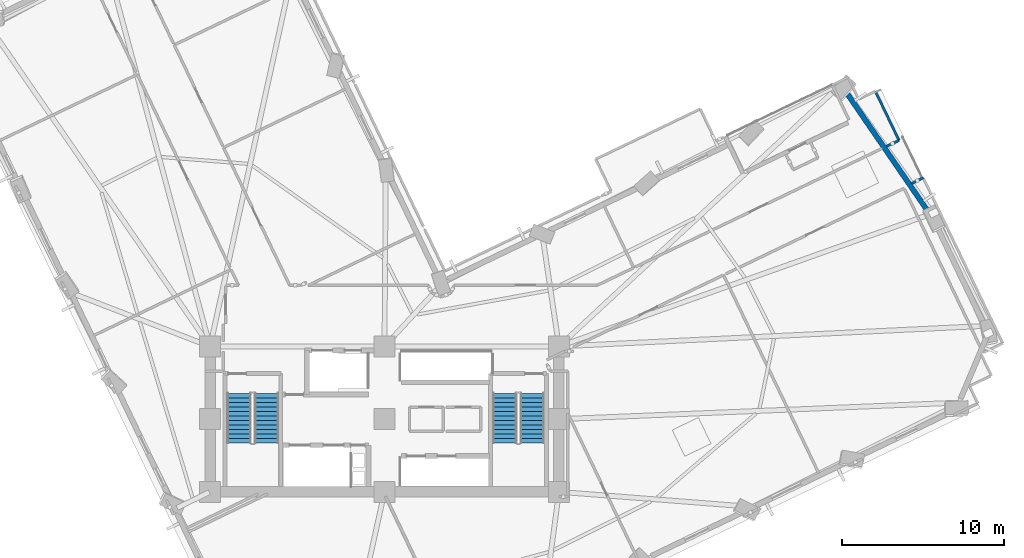
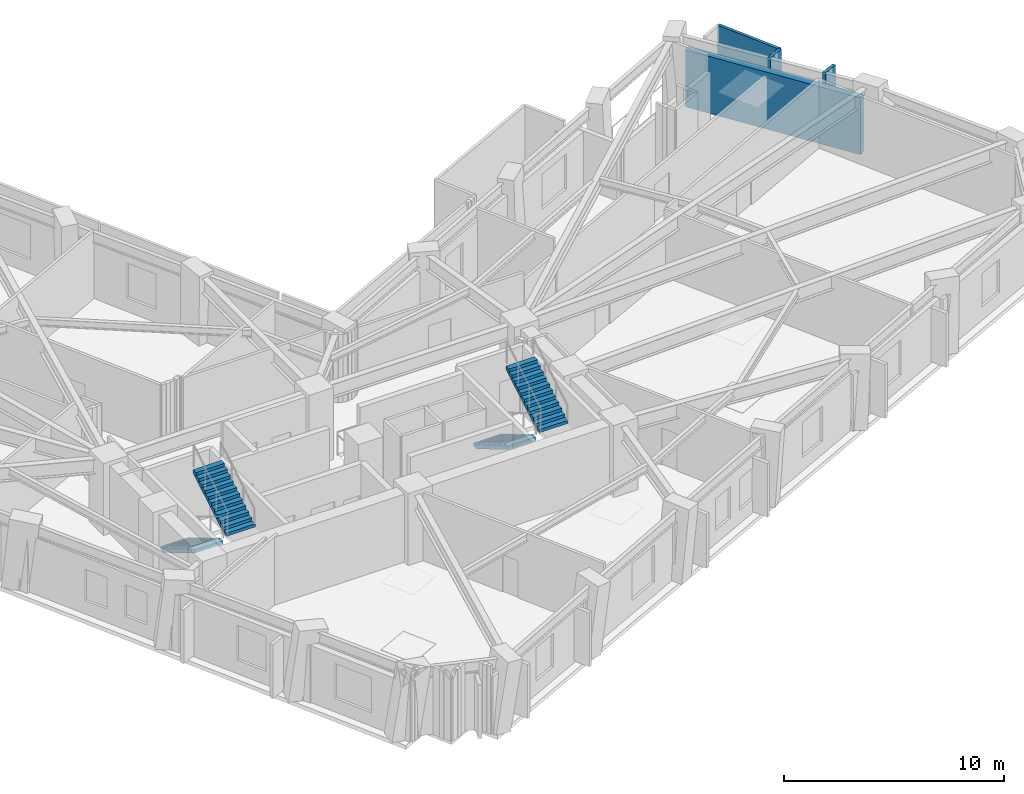
# One storey, part 11 of 16: 4 stair flights, 4 walls, 2 elements without a shape of their own.
"""IFC4 building model written with IfcOpenShell, lengths in metres."""

from ifc_helpers import new_model, si_unit, direction, frame, frame_2d, origin, place, context, subcontext, project, spatial, polyline, rectangle, outline, extrude, material, layer, layer_set, type_object, element, aggregate, save


model = new_model("IFC4")

# Units and contexts
model_context = context("Model", 3, precision=1e-05, world=origin(), true_north=direction((0.0, 1.0)))
body_context = subcontext(model_context, "Body", "Model", "MODEL_VIEW")
ifc_project = project(units=[si_unit("LENGTHUNIT", "METRE"), si_unit("AREAUNIT", "SQUARE_METRE"), si_unit("VOLUMEUNIT", "CUBIC_METRE"), si_unit("PLANEANGLEUNIT", "RADIAN"), si_unit("MASSUNIT", "GRAM", prefix="KILO")], contexts=[model_context])

# Site, building, storey
site_placement = place(None, origin())
site = spatial("IfcSite", under=ifc_project, at=site_placement, CompositionType="ELEMENT")
building_placement = place(site_placement, origin())
building = spatial("IfcBuilding", under=site, at=building_placement, Name="Gaonmaruhae Medical Tower", CompositionType="ELEMENT")
storey_placement = place(building_placement, frame((0.0, 0.0, 132.39990234375)))
storey = spatial("IfcBuildingStorey", under=building, at=storey_placement, Name="L31", CompositionType="ELEMENT", Elevation=132.39990234375)

# Walls
ifc_material_1 = material(Name="Precast concrete C45/55", Category="concrete")
ifc_layer_1 = layer(ifc_material_1, 0.320068359375)
ifc_layer_set_1 = layer_set([ifc_layer_1], Name="Precast concrete C45/55")
wall_type_1 = type_object("IfcWallType", Name="EW-320 Lower Precast Masonry-Frame Facade Wall", PredefinedType="SOLIDWALL", material=ifc_layer_set_1)
wall_1_placement = place(storey_placement, frame((53.432861328125, 32.471923828125, 0.0), z_axis=(0.0, 0.0, 1.0), x_axis=(0.565541240042, -0.824720016619, 0.0)))
element("IfcWall", 1, at=wall_1_placement, inside=storey, type_object=wall_type_1, Name="L31 Precast Masonry-Frame Wall E02-E03", PredefinedType="SOLIDWALL", context=body_context, shape_type="SweptSolid", body=[
    extrude(rectangle(XDim=8.837646484375, YDim=0.320068359375, at=frame_2d((4.4189453125, 0.0))), origin(), (0.0, 0.0, 1.0), 3.1650390625),
])
ifc_material_2 = material(Name="Gypsum board partition", Category="gypsum")
ifc_layer_2 = layer(ifc_material_2, 0.14990234375)
ifc_layer_set_2 = layer_set([ifc_layer_2], Name="Gypsum board partition")
wall_type_2 = type_object("IfcWallType", Name="PW-150 Rated Clinical Corridor Partition", PredefinedType="PARTITIONING", material=ifc_layer_set_2)
wall_2_placement = place(storey_placement, frame((55.18505859375, 32.613037109375, 0.0), z_axis=(0.0, 0.0, 1.0), x_axis=(0.432892660417, -0.901445475088, 0.0)))
element("IfcWall", 2, at=wall_2_placement, inside=storey, type_object=wall_type_2, Name="L31 Interior Partition L31-IE02-79", PredefinedType="PARTITIONING", context=body_context, shape_type="SweptSolid", body=[
    extrude(rectangle(XDim=3.388916015625, YDim=0.14990234375, at=frame_2d((1.6943359375, 0.0))), origin(), (0.0, 0.0, 1.0), 3.780029296875),
])
wall_3_placement = place(storey_placement, frame((56.652099609375, 29.55810546875, 0.0), z_axis=(0.0, 0.0, 1.0), x_axis=(-0.901345925248, -0.433099899605, 0.0)))
element("IfcWall", 3, at=wall_3_placement, inside=storey, type_object=wall_type_2, Name="L31 Interior Partition L31-IE02-80", PredefinedType="PARTITIONING", context=body_context, shape_type="SweptSolid", body=[
    extrude(rectangle(XDim=0.882080078125, YDim=0.14990234375, at=frame_2d((0.44091796875, 0.0))), origin(), (0.0, 0.0, 1.0), 3.780029296875),
])
wall_4_placement = place(storey_placement, frame((57.425048828125, 26.888916015625, 0.0), z_axis=(0.0, 0.0, 1.0), x_axis=(0.901644033321, 0.4324789442, 0.0)))
element("IfcWall", 4, at=wall_4_placement, inside=storey, type_object=wall_type_2, Name="L31 Interior Partition L31-RM02-102", PredefinedType="PARTITIONING", context=body_context, shape_type="SweptSolid", body=[
    extrude(rectangle(XDim=0.818603515625, YDim=0.14990234375, at=frame_2d((0.4091796875, 0.0))), origin(), (0.0, 0.0, 1.0), 3.780029296875),
])

# Stair, stair flights
ifc_material_3 = material(Name="Concrete C40/50", Category="concrete")
stair_type = type_object("IfcStairType", Name="ST-T1 Primary Core Escape Dogleg Stair", PredefinedType="TWO_QUARTER_TURN_STAIR", material=ifc_material_3)
stair_1_placement = place(storey_placement, origin())
stair_1 = element("IfcStair", 5, at=stair_1_placement, inside=storey, type_object=stair_type, Name="L31 Protected Escape Stair ST-01", PredefinedType="TWO_QUARTER_TURN_STAIR")
stair_flight_type = type_object("IfcStairFlightType", Name="SF-T1 Primary Core Precast Stair Flight", PredefinedType="STRAIGHT", material=ifc_material_3)
stair_flight_1_placement = place(storey_placement, frame((15.800048828125, 13.89990234375, 0.0), z_axis=(0.0, 0.0, 1.0), x_axis=(0.0, -1.0, 0.0)))
stair_flight_1 = element("IfcStairFlight", 6, at=stair_flight_1_placement, type_object=stair_flight_type, Name="ST-01 flight 1", NumberOfRisers=12, NumberOfTreads=11, PredefinedType="STRAIGHT", RiserHeight=0.166666667, TreadLength=0.28, context=body_context, shape_type="SweptSolid", body=[
    extrude(outline(polyline([(0.0, 0.0), (0.0, 0.166748046875), (0.280029296875, 0.166748046875), (0.280029296875, 0.333251953125), (0.56005859375, 0.333251953125), (0.56005859375, 0.5), (0.840087890625, 0.5), (0.840087890625, 0.666748046875), (1.1201171875, 0.666748046875), (1.1201171875, 0.833251953125), (1.39990234375, 0.833251953125), (1.39990234375, 1.0), (1.679931640625, 1.0), (1.679931640625, 1.166748046875), (1.9599609375, 1.166748046875), (1.9599609375, 1.333251953125), (2.239990234375, 1.333251953125), (2.239990234375, 1.5), (2.52001953125, 1.5), (2.52001953125, 1.666748046875), (2.800048828125, 1.666748046875), (2.800048828125, 1.833251953125), (3.080078125, 1.833251953125), (3.080078125, 2.0), (3.080078125, 1.658935546875), (0.29296875, 0.0), (0.0, 0.0)])), frame((0.0, 0.75, 0.0), z_axis=(0.0, -1.0, 0.0), x_axis=(1.0, 0.0, 0.0)), (0.0, 0.0, 1.0), 1.5),
])
stair_flight_2_placement = place(storey_placement, frame((17.5, 10.820068359375, 2.0), z_axis=(0.0, 0.0, 1.0), x_axis=(0.0, 1.0, 0.0)))
stair_flight_2 = element("IfcStairFlight", 7, at=stair_flight_2_placement, type_object=stair_flight_type, Name="ST-01 flight 2", NumberOfRisers=12, NumberOfTreads=11, PredefinedType="STRAIGHT", RiserHeight=0.166666667, TreadLength=0.28, context=body_context, shape_type="SweptSolid", body=[
    extrude(outline(polyline([(0.0, 0.0), (0.0, 0.166748046875), (0.280029296875, 0.166748046875), (0.280029296875, 0.333251953125), (0.56005859375, 0.333251953125), (0.56005859375, 0.5), (0.840087890625, 0.5), (0.840087890625, 0.666748046875), (1.1201171875, 0.666748046875), (1.1201171875, 0.833251953125), (1.39990234375, 0.833251953125), (1.39990234375, 1.0), (1.679931640625, 1.0), (1.679931640625, 1.166748046875), (1.9599609375, 1.166748046875), (1.9599609375, 1.333251953125), (2.239990234375, 1.333251953125), (2.239990234375, 1.5), (2.52001953125, 1.5), (2.52001953125, 1.666748046875), (2.800048828125, 1.666748046875), (2.800048828125, 1.833251953125), (3.080078125, 1.833251953125), (3.080078125, 2.0), (3.080078125, 1.658935546875), (0.29296875, 0.0), (0.0, 0.0)])), frame((0.0, 0.75, 0.0), z_axis=(0.0, -1.0, 0.0), x_axis=(1.0, 0.0, 0.0)), (0.0, 0.0, 1.0), 1.5),
])
aggregate(stair_1, [stair_flight_1, stair_flight_2])

stair_2_placement = place(storey_placement, origin())
stair_2 = element("IfcStair", 8, at=stair_2_placement, inside=storey, type_object=stair_type, Name="L31 Protected Escape Stair ST-02", PredefinedType="TWO_QUARTER_TURN_STAIR")
stair_flight_3_placement = place(storey_placement, frame((32.25, 13.89990234375, 0.0), z_axis=(0.0, 0.0, 1.0), x_axis=(0.0, -1.0, 0.0)))
stair_flight_3 = element("IfcStairFlight", 9, at=stair_flight_3_placement, type_object=stair_flight_type, Name="ST-02 flight 1", NumberOfRisers=12, NumberOfTreads=11, PredefinedType="STRAIGHT", RiserHeight=0.166666667, TreadLength=0.28, context=body_context, shape_type="SweptSolid", body=[
    extrude(outline(polyline([(0.0, 0.0), (0.0, 0.166748046875), (0.280029296875, 0.166748046875), (0.280029296875, 0.333251953125), (0.56005859375, 0.333251953125), (0.56005859375, 0.5), (0.840087890625, 0.5), (0.840087890625, 0.666748046875), (1.1201171875, 0.666748046875), (1.1201171875, 0.833251953125), (1.39990234375, 0.833251953125), (1.39990234375, 1.0), (1.679931640625, 1.0), (1.679931640625, 1.166748046875), (1.9599609375, 1.166748046875), (1.9599609375, 1.333251953125), (2.239990234375, 1.333251953125), (2.239990234375, 1.5), (2.52001953125, 1.5), (2.52001953125, 1.666748046875), (2.800048828125, 1.666748046875), (2.800048828125, 1.833251953125), (3.080078125, 1.833251953125), (3.080078125, 2.0), (3.080078125, 1.658935546875), (0.29296875, 0.0), (0.0, 0.0)])), frame((0.0, 0.75, 0.0), z_axis=(0.0, -1.0, 0.0), x_axis=(1.0, 0.0, 0.0)), (0.0, 0.0, 1.0), 1.5),
])
stair_flight_4_placement = place(storey_placement, frame((33.949951171875, 10.820068359375, 2.0), z_axis=(0.0, 0.0, 1.0), x_axis=(0.0, 1.0, 0.0)))
stair_flight_4 = element("IfcStairFlight", 10, at=stair_flight_4_placement, type_object=stair_flight_type, Name="ST-02 flight 2", NumberOfRisers=12, NumberOfTreads=11, PredefinedType="STRAIGHT", RiserHeight=0.166666667, TreadLength=0.28, context=body_context, shape_type="SweptSolid", body=[
    extrude(outline(polyline([(0.0, 0.0), (0.0, 0.166748046875), (0.280029296875, 0.166748046875), (0.280029296875, 0.333251953125), (0.56005859375, 0.333251953125), (0.56005859375, 0.5), (0.840087890625, 0.5), (0.840087890625, 0.666748046875), (1.1201171875, 0.666748046875), (1.1201171875, 0.833251953125), (1.39990234375, 0.833251953125), (1.39990234375, 1.0), (1.679931640625, 1.0), (1.679931640625, 1.166748046875), (1.9599609375, 1.166748046875), (1.9599609375, 1.333251953125), (2.239990234375, 1.333251953125), (2.239990234375, 1.5), (2.52001953125, 1.5), (2.52001953125, 1.666748046875), (2.800048828125, 1.666748046875), (2.800048828125, 1.833251953125), (3.080078125, 1.833251953125), (3.080078125, 2.0), (3.080078125, 1.658935546875), (0.29296875, 0.0), (0.0, 0.0)])), frame((0.0, 0.75, 0.0), z_axis=(0.0, -1.0, 0.0), x_axis=(1.0, 0.0, 0.0)), (0.0, 0.0, 1.0), 1.5),
])
aggregate(stair_2, [stair_flight_3, stair_flight_4])

save(model, "model.ifc")
